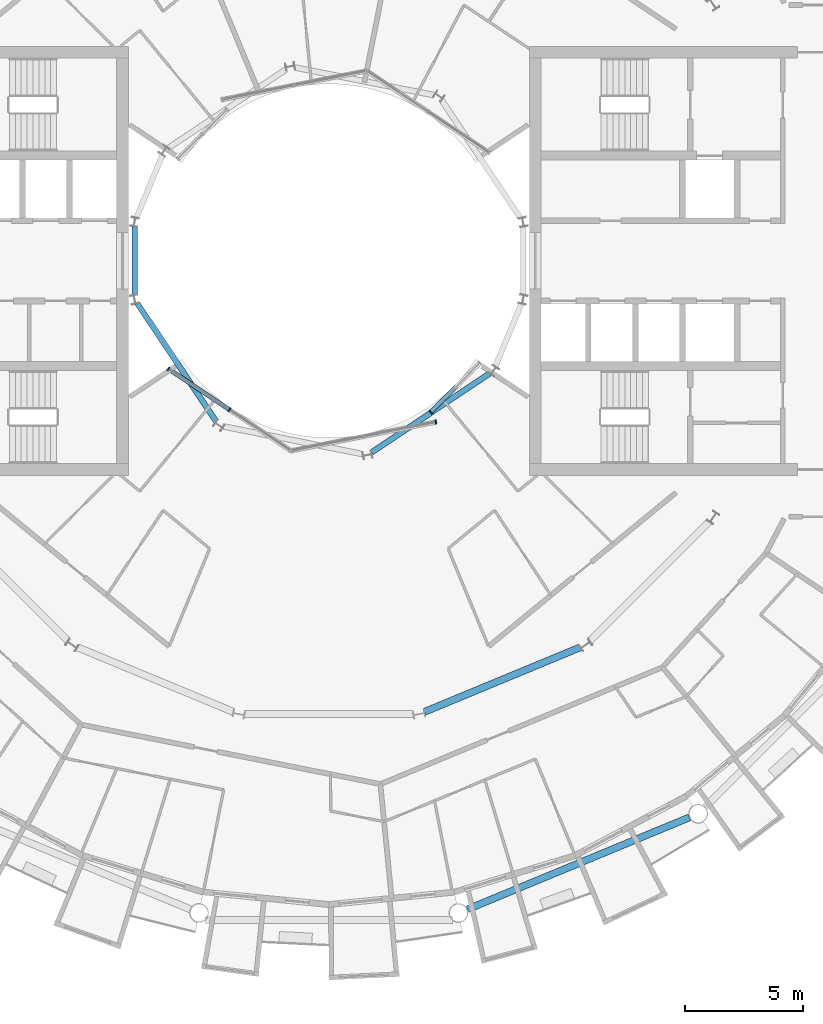
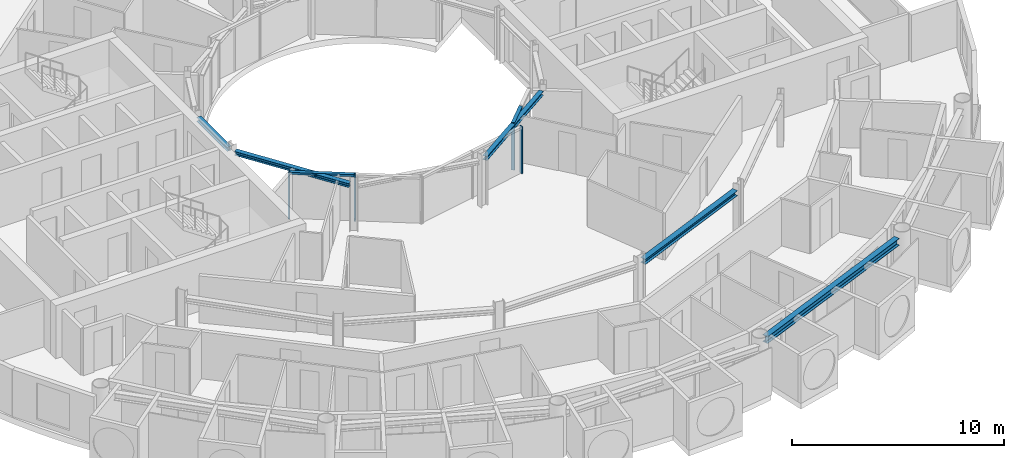
# One storey, part 6 of 27: 6 members, 5 beams, 3 elements without a shape of their own.
"""IFC4 building model written with IfcOpenShell, lengths in metres."""

from ifc_helpers import new_model, si_unit, direction, frame, origin, origin_2d, place, context, subcontext, project, spatial, rectangle, i_section, extrude, material, layer, layer_set, material_profile, profile_set, type_object, element, aggregate, save


model = new_model("IFC4")

# Units and contexts
model_context = context("Model", 3, precision=1e-05, world=origin(), true_north=direction((0.0, 1.0)))
body_context = subcontext(model_context, "Body", "Model", "MODEL_VIEW")
ifc_project = project(units=[si_unit("LENGTHUNIT", "METRE"), si_unit("AREAUNIT", "SQUARE_METRE"), si_unit("VOLUMEUNIT", "CUBIC_METRE"), si_unit("PLANEANGLEUNIT", "RADIAN"), si_unit("MASSUNIT", "GRAM", prefix="KILO")], contexts=[model_context])

# Site, building, storey
site_placement = place(None, origin())
site = spatial("IfcSite", under=ifc_project, at=site_placement, CompositionType="ELEMENT")
building_placement = place(site_placement, origin())
building = spatial("IfcBuilding", under=site, at=building_placement, Name="Maasbend Ring Residences", CompositionType="ELEMENT")
storey_placement = place(building_placement, frame((0.0, 0.0, 148.25)))
storey = spatial("IfcBuildingStorey", under=building, at=storey_placement, Name="L42", CompositionType="ELEMENT", Elevation=148.25)

# Curtain wall, members
ifc_material_1 = material(Name="Aluminium and clear glass", Category="aluminium")
ifc_layer = layer(ifc_material_1, 0.179931640625)
ifc_layer_set = layer_set([ifc_layer], Name="CW-W")
curtain_wall_type = type_object("IfcCurtainWallType", Name="CW-W", PredefinedType="NOTDEFINED", material=ifc_layer_set)
curtain_wall_1_placement = place(storey_placement, origin())
curtain_wall_1 = element("IfcCurtainWall", 1, at=curtain_wall_1_placement, inside=storey, type_object=curtain_wall_type, Name="Well curtain wall S1", PredefinedType="NOTDEFINED")
ifc_material_2 = material(Name="Aluminium 6063-T6", Category="aluminium")
ifc_material_profile_1 = material_profile(ifc_material_2, rectangle(XDim=0.179931640625, YDim=0.06005859375, at=origin_2d()), Name="AL 180x60")
ifc_profile_set_1 = profile_set([ifc_material_profile_1], Name="Aluminium 6063-T6")
member_type_1 = type_object("IfcMemberType", Name="CWM-W", PredefinedType="MULLION", material=ifc_profile_set_1)
member_1_placement = place(storey_placement, frame((-6.805908203125, -4.580810546875, 0.0), z_axis=(0.0, 0.0, 1.0), x_axis=(0.55557023302, 0.831469612303, 0.0)))
member_1 = element("IfcMember", 2, at=member_1_placement, type_object=member_type_1, Name="Mullion well face", PredefinedType="MULLION", context=body_context, shape_type="SweptSolid", body=[
    extrude(rectangle(XDim=0.179931640625, YDim=0.06005859375, at=origin_2d()), origin(), (0.0, 0.0, 1.0), 2.699951171875),
])
member_2_placement = place(storey_placement, frame((-4.216796875, -6.310791015625, 0.0), z_axis=(0.0, 0.0, 1.0), x_axis=(0.55557023302, 0.831469612303, 0.0)))
member_2 = element("IfcMember", 3, at=member_2_placement, type_object=member_type_1, Name="Mullion well face", PredefinedType="MULLION", context=body_context, shape_type="SweptSolid", body=[
    extrude(rectangle(XDim=0.179931640625, YDim=0.06005859375, at=origin_2d()), origin(), (0.0, 0.0, 1.0), 2.699951171875),
])

# Curtain wall, member
curtain_wall_2_placement = place(storey_placement, origin())
curtain_wall_2 = element("IfcCurtainWall", 4, at=curtain_wall_2_placement, inside=storey, type_object=curtain_wall_type, Name="Well curtain wall S2", PredefinedType="NOTDEFINED")
member_3_placement = place(storey_placement, frame((4.53466796875, -6.836669921875, 0.0), z_axis=(0.0, 0.0, 1.0), x_axis=(-0.195090322016, 0.980785280403, 0.0)))
member_3 = element("IfcMember", 5, at=member_3_placement, type_object=member_type_1, Name="Mullion well face", PredefinedType="MULLION", context=body_context, shape_type="SweptSolid", body=[
    extrude(rectangle(XDim=0.179931640625, YDim=0.06005859375, at=origin_2d()), origin(), (0.0, 0.0, 1.0), 2.699951171875),
])
aggregate(curtain_wall_2, [member_3])

curtain_wall_3_placement = place(storey_placement, origin())
curtain_wall_3 = element("IfcCurtainWall", 6, at=curtain_wall_3_placement, inside=storey, type_object=curtain_wall_type, Name="Well curtain wall S3", PredefinedType="NOTDEFINED")
member_4_placement = place(storey_placement, frame((4.320556640625, -6.413330078125, 0.0), z_axis=(0.0, 0.0, 1.0), x_axis=(-0.707106781187, 0.707106781187, 0.0)))
member_4 = element("IfcMember", 7, at=member_4_placement, type_object=member_type_1, Name="Mullion well face", PredefinedType="MULLION", context=body_context, shape_type="SweptSolid", body=[
    extrude(rectangle(XDim=0.179931640625, YDim=0.06005859375, at=origin_2d()), origin(), (0.0, 0.0, 1.0), 2.699951171875),
])

# Member
ifc_material_3 = material(Name="Aluminium 6063-T6", Category="aluminium")
ifc_material_profile_2 = material_profile(ifc_material_3, rectangle(XDim=0.179931640625, YDim=0.1201171875, at=origin_2d()), Name="AL 180x120")
ifc_profile_set_2 = profile_set([ifc_material_profile_2], Name="Aluminium 6063-T6")
member_type_2 = type_object("IfcMemberType", Name="CWT-W", PredefinedType="USERDEFINED", material=ifc_profile_set_2)
member_5_placement = place(storey_placement, frame((-6.781005859375, -4.59765625, 2.639892578125), z_axis=(0.831496422459, -0.555530106689, 0.0), x_axis=(0.555530106689, 0.831496422459, 0.0)))
member_5 = element("IfcMember", 8, at=member_5_placement, type_object=member_type_2, Name="Transom well face", ObjectType="TRANSOM", PredefinedType="USERDEFINED", context=body_context, shape_type="SweptSolid", body=[
    extrude(rectangle(XDim=0.179931640625, YDim=0.1201171875, at=origin_2d()), origin(), (0.0, 0.0, 1.0), 3.053955078125),
])

aggregate(curtain_wall_1, [member_1, member_2, member_5])

member_6_placement = place(storey_placement, frame((4.341796875, -6.39208984375, 2.639892578125), z_axis=(0.707106781187, 0.707106781187, 0.0), x_axis=(-0.707106781187, 0.707106781187, 0.0)))
member_6 = element("IfcMember", 9, at=member_6_placement, type_object=member_type_2, Name="Transom well face", ObjectType="TRANSOM", PredefinedType="USERDEFINED", context=body_context, shape_type="SweptSolid", body=[
    extrude(rectangle(XDim=0.179931640625, YDim=0.1201171875, at=origin_2d()), origin(), (0.0, 0.0, 1.0), 1.419677734375),
])

aggregate(curtain_wall_3, [member_4, member_6])

# Beams
ifc_material_4 = material(Name="Steel S355J2", Category="steel")
ifc_material_profile_3 = material_profile(ifc_material_4, i_section(OverallWidth=0.300048828125, OverallDepth=0.2900390625, WebThickness=0.008544921875, FlangeThickness=0.013916015625, FilletRadius=0.027099609375, at=origin_2d()), Name="HEA 300")
ifc_profile_set_3 = profile_set([ifc_material_profile_3], Name="Steel S355J2")
beam_type_1 = type_object("IfcBeamType", Name="Corridor ring beam HEA 300", PredefinedType="BEAM", material=ifc_profile_set_3)
beam_1_placement = place(storey_placement, frame((4.059326171875, -19.1259765625, 2.554931640625), z_axis=(0.923871339849, 0.382703210602, 0.0), x_axis=(-0.382703210602, 0.923871339849, 0.0)))
element("IfcBeam", 10, at=beam_1_placement, inside=storey, type_object=beam_type_1, Name="Corridor ring beam", PredefinedType="BEAM", context=body_context, shape_type="SweptSolid", body=[
    extrude(i_section(OverallWidth=0.300048828125, OverallDepth=0.2900390625, WebThickness=0.008544921875, FlangeThickness=0.013916015625, FilletRadius=0.027099609375, at=origin_2d()), origin(), (0.0, 0.0, 1.0), 7.137939453125),
])
ifc_material_5 = material(Name="Steel S355J2", Category="steel")
ifc_material_profile_4 = material_profile(ifc_material_5, i_section(OverallWidth=0.300048828125, OverallDepth=0.39990234375, WebThickness=0.013427734375, FlangeThickness=0.02392578125, FilletRadius=0.027099609375, at=origin_2d()), Name="HEB 400")
ifc_profile_set_4 = profile_set([ifc_material_profile_4], Name="Steel S355J2")
beam_type_2 = type_object("IfcBeamType", Name="Spandrel ring beam HEB 400", PredefinedType="SPANDREL", material=ifc_profile_set_4)
beam_2_placement = place(storey_placement, frame((5.877197265625, -27.50244140625, 2.5), z_axis=(0.923883676188, 0.382673428492, 0.0), x_axis=(-0.382673428492, 0.923883676188, 0.0)))
element("IfcBeam", 11, at=beam_2_placement, inside=storey, type_object=beam_type_2, Name="Spandrel ring beam", PredefinedType="SPANDREL", context=body_context, shape_type="SweptSolid", body=[
    extrude(i_section(OverallWidth=0.300048828125, OverallDepth=0.39990234375, WebThickness=0.013427734375, FlangeThickness=0.02392578125, FilletRadius=0.027099609375, at=origin_2d()), origin(), (0.0, 0.0, 1.0), 10.18994140625),
])
ifc_material_6 = material(Name="Steel S355J2", Category="steel")
ifc_material_profile_5 = material_profile(ifc_material_6, i_section(OverallWidth=0.239990234375, OverallDepth=0.22998046875, WebThickness=0.007568359375, FlangeThickness=0.011962890625, FilletRadius=0.02099609375, at=origin_2d()), Name="HEA 240")
ifc_profile_set_5 = profile_set([ifc_material_profile_5], Name="Steel S355J2")
beam_type_3 = type_object("IfcBeamType", Name="Well edge beam HEA 240", PredefinedType="BEAM", material=ifc_profile_set_5)
beam_3_placement = place(storey_placement, frame((-8.238525390625, 1.43994140625, 2.5849609375), z_axis=(0.0, -1.0, 0.0), x_axis=(1.0, 0.0, 0.0)))
element("IfcBeam", 12, at=beam_3_placement, inside=storey, type_object=beam_type_3, Name="Well edge beam", PredefinedType="BEAM", context=body_context, shape_type="SweptSolid", body=[
    extrude(i_section(OverallWidth=0.239990234375, OverallDepth=0.22998046875, WebThickness=0.007568359375, FlangeThickness=0.011962890625, FilletRadius=0.02099609375, at=origin_2d()), origin(), (0.0, 0.0, 1.0), 2.8798828125),
])
for number, where, z_axis, x_axis, name in (
    (13, (-8.121337890625, -1.814208984375, 2.5849609375), (0.555553413909, -0.831480850227, 0.0), (0.831480850227, 0.555553413909, 0.0), "Well edge beam"),
    (14, (1.814208984375, -8.121337890625, 2.5849609375), (0.831480850227, 0.555553413909, 0.0), (-0.555553413909, 0.831480850227, 0.0), "Well edge beam"),
):
    element("IfcBeam", number, at=place(storey_placement, frame(where, z_axis=z_axis, x_axis=x_axis)), inside=storey, type_object=beam_type_3, Name=name, PredefinedType="BEAM", context=body_context, shape_type="SweptSolid", body=[
        extrude(i_section(OverallWidth=0.239990234375, OverallDepth=0.22998046875, WebThickness=0.007568359375, FlangeThickness=0.011962890625, FilletRadius=0.02099609375, at=origin_2d()), origin(), (0.0, 0.0, 1.0), 6.0068359375),
    ])

save(model, "model.ifc")
